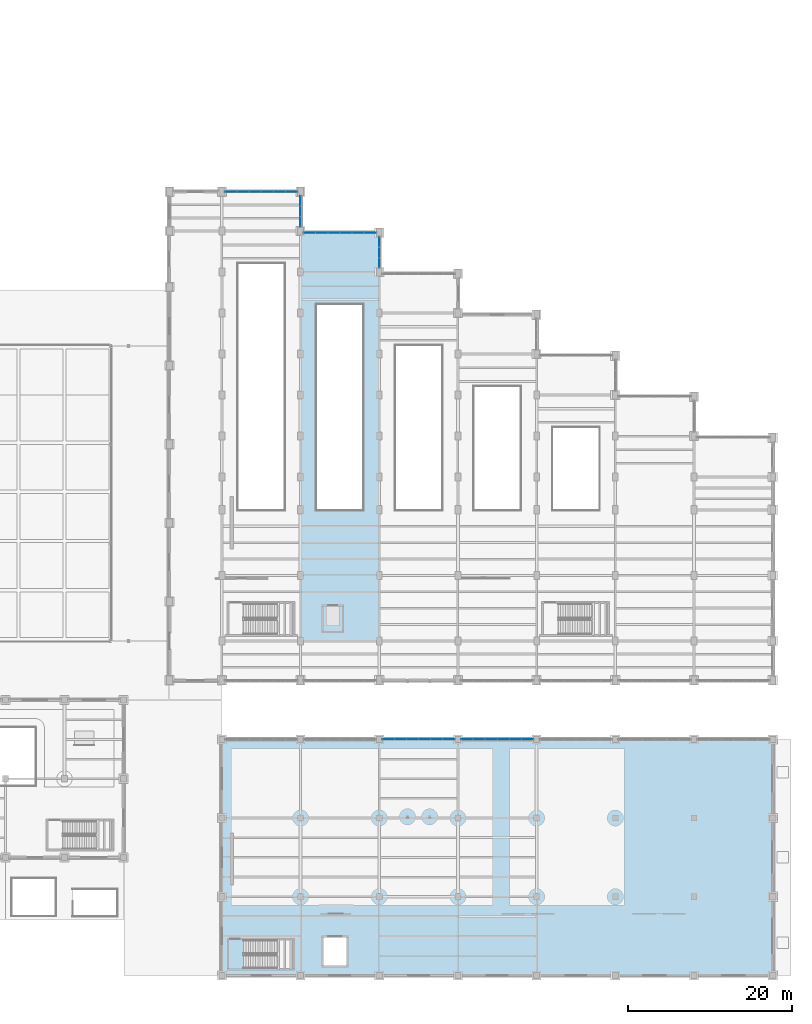
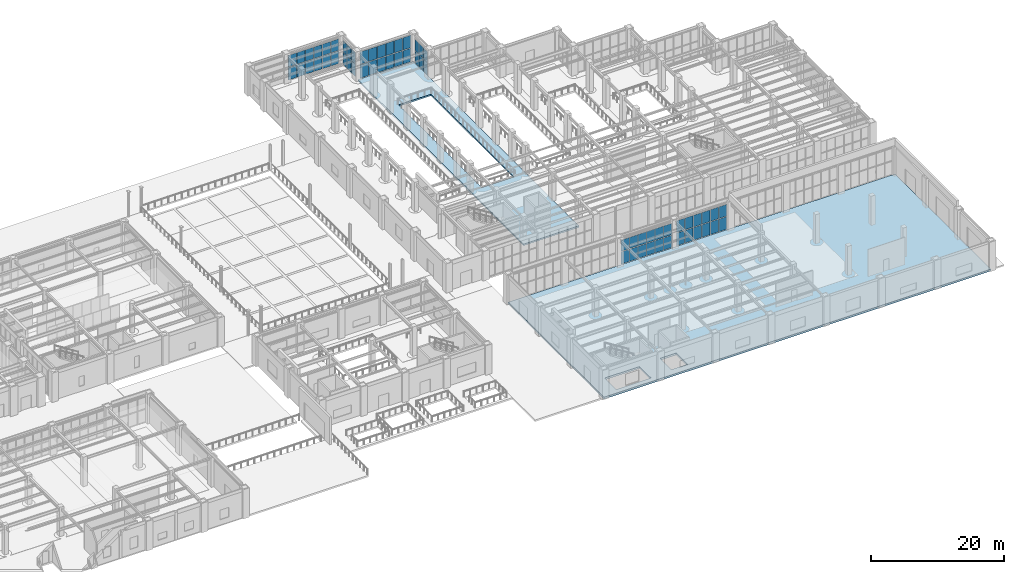
# One storey, part 122 of 164: 60 plates, 2 slabs, 6 elements without a shape of their own.
"""IFC4 building model written with IfcOpenShell, lengths in metres."""

from ifc_helpers import new_model, si_unit, direction, frame, origin, origin_2d, place, context, subcontext, project, spatial, polyline, rectangle, outline, extrude, material, layer, layer_set, type_object, element, aggregate, save


model = new_model("IFC4")

# Units and contexts
model_context = context("Model", 3, precision=1e-05, world=origin(), true_north=direction((0.0, 1.0)))
body_context = subcontext(model_context, "Body", "Model", "MODEL_VIEW")
ifc_project = project(units=[si_unit("LENGTHUNIT", "METRE"), si_unit("AREAUNIT", "SQUARE_METRE"), si_unit("VOLUMEUNIT", "CUBIC_METRE"), si_unit("PLANEANGLEUNIT", "RADIAN"), si_unit("MASSUNIT", "GRAM", prefix="KILO")], contexts=[model_context])

# Site, building, storey
site_placement = place(None, origin())
site = spatial("IfcSite", under=ifc_project, at=site_placement, CompositionType="ELEMENT")
building_placement = place(site_placement, origin())
building = spatial("IfcBuilding", under=site, at=building_placement, Name="Mavantir Sound Aquarium", CompositionType="ELEMENT")
storey_placement = place(building_placement, origin())
storey = spatial("IfcBuildingStorey", under=building, at=storey_placement, Name="L00", CompositionType="ELEMENT", Elevation=0.0)

# Curtain wall, plates
ifc_material_1 = material(Name="Anodised Marine Aluminium and Low-E Glass", Category="aluminium")
curtain_wall_type_1 = type_object("IfcCurtainWallType", Name="CW-T17", PredefinedType="USERDEFINED", material=ifc_material_1)
curtain_wall_1_placement = place(storey_placement, origin())
curtain_wall_1 = element("IfcCurtainWall", 1, at=curtain_wall_1_placement, inside=storey, type_object=curtain_wall_type_1, Name="L00 unitised curtain wall CW-17 17", ObjectType="UNITISED GLAZING", PredefinedType="USERDEFINED")
ifc_material_2 = material(Name="Solar-Control Laminated Low-E Glass", Category="glass")
ifc_layer_1 = layer(ifc_material_2, 0.028076171875, Name="Solar-Control Laminated Low-E Glass")
ifc_layer_set_1 = layer_set([ifc_layer_1], Name="Solar-Control Laminated Low-E Glass")
plate_type_1 = type_object("IfcPlateType", Name="CW-PNL-28", PredefinedType="CURTAIN_PANEL", material=ifc_layer_set_1)
plate_1_placement = place(storey_placement, frame((126.101806640625, 90.60009765625, 0.10302734375), z_axis=(0.0, 0.0, 1.0), x_axis=(-1.0, 0.0, 0.0)))
plate_1 = element("IfcPlate", 2, at=plate_1_placement, type_object=plate_type_1, Name="CW-L00-017 glazed curtain panel 1.1", PredefinedType="CURTAIN_PANEL", context=body_context, shape_type="SweptSolid", body=[
    extrude(rectangle(XDim=1.4326171875, YDim=0.028076171875, at=origin_2d()), origin(), (0.0, 0.0, 1.0), 2.480224609375),
])
plate_2_placement = place(storey_placement, frame((126.101806640625, 90.60009765625, 2.67919921875), z_axis=(0.0, 0.0, 1.0), x_axis=(-1.0, 0.0, 0.0)))
plate_2 = element("IfcPlate", 3, at=plate_2_placement, type_object=plate_type_1, Name="CW-L00-017 glazed curtain panel 1.2", PredefinedType="CURTAIN_PANEL", context=body_context, shape_type="SweptSolid", body=[
    extrude(rectangle(XDim=1.4326171875, YDim=0.028076171875, at=origin_2d()), origin(), (0.0, 0.0, 1.0), 2.27783203125),
])
plate_3_placement = place(storey_placement, frame((124.62109375, 90.60009765625, 0.10302734375), z_axis=(0.0, 0.0, 1.0), x_axis=(-1.0, 0.0, 0.0)))
plate_3 = element("IfcPlate", 4, at=plate_3_placement, type_object=plate_type_1, Name="CW-L00-017 glazed curtain panel 2.1", PredefinedType="CURTAIN_PANEL", context=body_context, shape_type="SweptSolid", body=[
    extrude(rectangle(XDim=1.4326171875, YDim=0.028076171875, at=origin_2d()), origin(), (0.0, 0.0, 1.0), 2.480224609375),
])
plate_4_placement = place(storey_placement, frame((124.62109375, 90.60009765625, 2.67919921875), z_axis=(0.0, 0.0, 1.0), x_axis=(-1.0, 0.0, 0.0)))
plate_4 = element("IfcPlate", 5, at=plate_4_placement, type_object=plate_type_1, Name="CW-L00-017 glazed curtain panel 2.2", PredefinedType="CURTAIN_PANEL", context=body_context, shape_type="SweptSolid", body=[
    extrude(rectangle(XDim=1.4326171875, YDim=0.028076171875, at=origin_2d()), origin(), (0.0, 0.0, 1.0), 2.27783203125),
])
plate_5_placement = place(storey_placement, frame((123.140380859375, 90.60009765625, 0.10302734375), z_axis=(0.0, 0.0, 1.0), x_axis=(-1.0, 0.0, 0.0)))
plate_5 = element("IfcPlate", 6, at=plate_5_placement, type_object=plate_type_1, Name="CW-L00-017 glazed curtain panel 3.1", PredefinedType="CURTAIN_PANEL", context=body_context, shape_type="SweptSolid", body=[
    extrude(rectangle(XDim=1.4326171875, YDim=0.028076171875, at=origin_2d()), origin(), (0.0, 0.0, 1.0), 2.480224609375),
])
plate_6_placement = place(storey_placement, frame((123.140380859375, 90.60009765625, 2.67919921875), z_axis=(0.0, 0.0, 1.0), x_axis=(-1.0, 0.0, 0.0)))
plate_6 = element("IfcPlate", 7, at=plate_6_placement, type_object=plate_type_1, Name="CW-L00-017 glazed curtain panel 3.2", PredefinedType="CURTAIN_PANEL", context=body_context, shape_type="SweptSolid", body=[
    extrude(rectangle(XDim=1.4326171875, YDim=0.028076171875, at=origin_2d()), origin(), (0.0, 0.0, 1.0), 2.27783203125),
])
plate_7_placement = place(storey_placement, frame((121.65966796875, 90.60009765625, 0.10302734375), z_axis=(0.0, 0.0, 1.0), x_axis=(-1.0, 0.0, 0.0)))
plate_7 = element("IfcPlate", 8, at=plate_7_placement, type_object=plate_type_1, Name="CW-L00-017 glazed curtain panel 4.1", PredefinedType="CURTAIN_PANEL", context=body_context, shape_type="SweptSolid", body=[
    extrude(rectangle(XDim=1.4326171875, YDim=0.028076171875, at=origin_2d()), origin(), (0.0, 0.0, 1.0), 2.480224609375),
])
plate_8_placement = place(storey_placement, frame((121.65966796875, 90.60009765625, 2.67919921875), z_axis=(0.0, 0.0, 1.0), x_axis=(-1.0, 0.0, 0.0)))
plate_8 = element("IfcPlate", 9, at=plate_8_placement, type_object=plate_type_1, Name="CW-L00-017 glazed curtain panel 4.2", PredefinedType="CURTAIN_PANEL", context=body_context, shape_type="SweptSolid", body=[
    extrude(rectangle(XDim=1.4326171875, YDim=0.028076171875, at=origin_2d()), origin(), (0.0, 0.0, 1.0), 2.27783203125),
])
plate_9_placement = place(storey_placement, frame((120.178955078125, 90.60009765625, 0.10302734375), z_axis=(0.0, 0.0, 1.0), x_axis=(-1.0, 0.0, 0.0)))
plate_9 = element("IfcPlate", 10, at=plate_9_placement, type_object=plate_type_1, Name="CW-L00-017 glazed curtain panel 5.1", PredefinedType="CURTAIN_PANEL", context=body_context, shape_type="SweptSolid", body=[
    extrude(rectangle(XDim=1.4326171875, YDim=0.028076171875, at=origin_2d()), origin(), (0.0, 0.0, 1.0), 2.480224609375),
])
plate_10_placement = place(storey_placement, frame((120.178955078125, 90.60009765625, 2.67919921875), z_axis=(0.0, 0.0, 1.0), x_axis=(-1.0, 0.0, 0.0)))
plate_10 = element("IfcPlate", 11, at=plate_10_placement, type_object=plate_type_1, Name="CW-L00-017 glazed curtain panel 5.2", PredefinedType="CURTAIN_PANEL", context=body_context, shape_type="SweptSolid", body=[
    extrude(rectangle(XDim=1.4326171875, YDim=0.028076171875, at=origin_2d()), origin(), (0.0, 0.0, 1.0), 2.27783203125),
])
plate_11_placement = place(storey_placement, frame((118.6982421875, 90.60009765625, 0.10302734375), z_axis=(0.0, 0.0, 1.0), x_axis=(-1.0, 0.0, 0.0)))
plate_11 = element("IfcPlate", 12, at=plate_11_placement, type_object=plate_type_1, Name="CW-L00-017 glazed curtain panel 6.1", PredefinedType="CURTAIN_PANEL", context=body_context, shape_type="SweptSolid", body=[
    extrude(rectangle(XDim=1.4326171875, YDim=0.028076171875, at=origin_2d()), origin(), (0.0, 0.0, 1.0), 2.480224609375),
])
plate_12_placement = place(storey_placement, frame((118.6982421875, 90.60009765625, 2.67919921875), z_axis=(0.0, 0.0, 1.0), x_axis=(-1.0, 0.0, 0.0)))
plate_12 = element("IfcPlate", 13, at=plate_12_placement, type_object=plate_type_1, Name="CW-L00-017 glazed curtain panel 6.2", PredefinedType="CURTAIN_PANEL", context=body_context, shape_type="SweptSolid", body=[
    extrude(rectangle(XDim=1.4326171875, YDim=0.028076171875, at=origin_2d()), origin(), (0.0, 0.0, 1.0), 2.27783203125),
])
aggregate(curtain_wall_1, [plate_1, plate_2, plate_3, plate_4, plate_5, plate_6, plate_7, plate_8, plate_9, plate_10, plate_11, plate_12])

curtain_wall_type_2 = type_object("IfcCurtainWallType", Name="CW-T19", PredefinedType="USERDEFINED", material=ifc_material_1)
curtain_wall_2_placement = place(storey_placement, origin())
curtain_wall_2 = element("IfcCurtainWall", 14, at=curtain_wall_2_placement, inside=storey, type_object=curtain_wall_type_2, Name="L00 unitised curtain wall CW-19 19", ObjectType="UNITISED GLAZING", PredefinedType="USERDEFINED")
plate_13_placement = place(storey_placement, frame((116.501708984375, 95.60009765625, 0.10302734375), z_axis=(0.0, 0.0, 1.0), x_axis=(-1.0, 0.0, 0.0)))
plate_13 = element("IfcPlate", 15, at=plate_13_placement, type_object=plate_type_1, Name="CW-L00-019 glazed curtain panel 1.1", PredefinedType="CURTAIN_PANEL", context=body_context, shape_type="SweptSolid", body=[
    extrude(rectangle(XDim=1.4326171875, YDim=0.028076171875, at=origin_2d()), origin(), (0.0, 0.0, 1.0), 2.3076171875),
])
plate_14_placement = place(storey_placement, frame((116.501708984375, 95.60009765625, 2.5068359375), z_axis=(0.0, 0.0, 1.0), x_axis=(-1.0, 0.0, 0.0)))
plate_14 = element("IfcPlate", 16, at=plate_14_placement, type_object=plate_type_1, Name="CW-L00-019 glazed curtain panel 1.2", PredefinedType="CURTAIN_PANEL", context=body_context, shape_type="SweptSolid", body=[
    extrude(rectangle(XDim=1.4326171875, YDim=0.028076171875, at=origin_2d()), origin(), (0.0, 0.0, 1.0), 2.118408203125),
])
plate_15_placement = place(storey_placement, frame((115.02099609375, 95.60009765625, 0.10302734375), z_axis=(0.0, 0.0, 1.0), x_axis=(-1.0, 0.0, 0.0)))
plate_15 = element("IfcPlate", 17, at=plate_15_placement, type_object=plate_type_1, Name="CW-L00-019 glazed curtain panel 2.1", PredefinedType="CURTAIN_PANEL", context=body_context, shape_type="SweptSolid", body=[
    extrude(rectangle(XDim=1.4326171875, YDim=0.028076171875, at=origin_2d()), origin(), (0.0, 0.0, 1.0), 2.3076171875),
])
plate_16_placement = place(storey_placement, frame((115.02099609375, 95.60009765625, 2.5068359375), z_axis=(0.0, 0.0, 1.0), x_axis=(-1.0, 0.0, 0.0)))
plate_16 = element("IfcPlate", 18, at=plate_16_placement, type_object=plate_type_1, Name="CW-L00-019 glazed curtain panel 2.2", PredefinedType="CURTAIN_PANEL", context=body_context, shape_type="SweptSolid", body=[
    extrude(rectangle(XDim=1.4326171875, YDim=0.028076171875, at=origin_2d()), origin(), (0.0, 0.0, 1.0), 2.118408203125),
])
plate_17_placement = place(storey_placement, frame((113.540283203125, 95.60009765625, 0.10302734375), z_axis=(0.0, 0.0, 1.0), x_axis=(-1.0, 0.0, 0.0)))
plate_17 = element("IfcPlate", 19, at=plate_17_placement, type_object=plate_type_1, Name="CW-L00-019 glazed curtain panel 3.1", PredefinedType="CURTAIN_PANEL", context=body_context, shape_type="SweptSolid", body=[
    extrude(rectangle(XDim=1.4326171875, YDim=0.028076171875, at=origin_2d()), origin(), (0.0, 0.0, 1.0), 2.3076171875),
])
plate_18_placement = place(storey_placement, frame((113.540283203125, 95.60009765625, 2.5068359375), z_axis=(0.0, 0.0, 1.0), x_axis=(-1.0, 0.0, 0.0)))
plate_18 = element("IfcPlate", 20, at=plate_18_placement, type_object=plate_type_1, Name="CW-L00-019 glazed curtain panel 3.2", PredefinedType="CURTAIN_PANEL", context=body_context, shape_type="SweptSolid", body=[
    extrude(rectangle(XDim=1.4326171875, YDim=0.028076171875, at=origin_2d()), origin(), (0.0, 0.0, 1.0), 2.118408203125),
])
plate_19_placement = place(storey_placement, frame((112.059814453125, 95.60009765625, 0.10302734375), z_axis=(0.0, 0.0, 1.0), x_axis=(-1.0, 0.0, 0.0)))
plate_19 = element("IfcPlate", 21, at=plate_19_placement, type_object=plate_type_1, Name="CW-L00-019 glazed curtain panel 4.1", PredefinedType="CURTAIN_PANEL", context=body_context, shape_type="SweptSolid", body=[
    extrude(rectangle(XDim=1.4326171875, YDim=0.028076171875, at=origin_2d()), origin(), (0.0, 0.0, 1.0), 2.3076171875),
])
plate_20_placement = place(storey_placement, frame((112.059814453125, 95.60009765625, 2.5068359375), z_axis=(0.0, 0.0, 1.0), x_axis=(-1.0, 0.0, 0.0)))
plate_20 = element("IfcPlate", 22, at=plate_20_placement, type_object=plate_type_1, Name="CW-L00-019 glazed curtain panel 4.2", PredefinedType="CURTAIN_PANEL", context=body_context, shape_type="SweptSolid", body=[
    extrude(rectangle(XDim=1.4326171875, YDim=0.028076171875, at=origin_2d()), origin(), (0.0, 0.0, 1.0), 2.118408203125),
])
plate_21_placement = place(storey_placement, frame((110.5791015625, 95.60009765625, 0.10302734375), z_axis=(0.0, 0.0, 1.0), x_axis=(-1.0, 0.0, 0.0)))
plate_21 = element("IfcPlate", 23, at=plate_21_placement, type_object=plate_type_1, Name="CW-L00-019 glazed curtain panel 5.1", PredefinedType="CURTAIN_PANEL", context=body_context, shape_type="SweptSolid", body=[
    extrude(rectangle(XDim=1.4326171875, YDim=0.028076171875, at=origin_2d()), origin(), (0.0, 0.0, 1.0), 2.3076171875),
])
plate_22_placement = place(storey_placement, frame((110.5791015625, 95.60009765625, 2.5068359375), z_axis=(0.0, 0.0, 1.0), x_axis=(-1.0, 0.0, 0.0)))
plate_22 = element("IfcPlate", 24, at=plate_22_placement, type_object=plate_type_1, Name="CW-L00-019 glazed curtain panel 5.2", PredefinedType="CURTAIN_PANEL", context=body_context, shape_type="SweptSolid", body=[
    extrude(rectangle(XDim=1.4326171875, YDim=0.028076171875, at=origin_2d()), origin(), (0.0, 0.0, 1.0), 2.118408203125),
])
plate_23_placement = place(storey_placement, frame((109.098388671875, 95.60009765625, 0.10302734375), z_axis=(0.0, 0.0, 1.0), x_axis=(-1.0, 0.0, 0.0)))
plate_23 = element("IfcPlate", 25, at=plate_23_placement, type_object=plate_type_1, Name="CW-L00-019 glazed curtain panel 6.1", PredefinedType="CURTAIN_PANEL", context=body_context, shape_type="SweptSolid", body=[
    extrude(rectangle(XDim=1.4326171875, YDim=0.028076171875, at=origin_2d()), origin(), (0.0, 0.0, 1.0), 2.3076171875),
])
plate_24_placement = place(storey_placement, frame((109.098388671875, 95.60009765625, 2.5068359375), z_axis=(0.0, 0.0, 1.0), x_axis=(-1.0, 0.0, 0.0)))
plate_24 = element("IfcPlate", 26, at=plate_24_placement, type_object=plate_type_1, Name="CW-L00-019 glazed curtain panel 6.2", PredefinedType="CURTAIN_PANEL", context=body_context, shape_type="SweptSolid", body=[
    extrude(rectangle(XDim=1.4326171875, YDim=0.028076171875, at=origin_2d()), origin(), (0.0, 0.0, 1.0), 2.118408203125),
])
aggregate(curtain_wall_2, [plate_13, plate_14, plate_15, plate_16, plate_17, plate_18, plate_19, plate_20, plate_21, plate_22, plate_23, plate_24])

curtain_wall_type_3 = type_object("IfcCurtainWallType", Name="CW-T03", PredefinedType="USERDEFINED", material=ifc_material_1)
curtain_wall_3_placement = place(storey_placement, origin())
curtain_wall_3 = element("IfcCurtainWall", 27, at=curtain_wall_3_placement, inside=storey, type_object=curtain_wall_type_3, Name="L00 unitised curtain wall CW-03 51", ObjectType="UNITISED GLAZING", PredefinedType="USERDEFINED")
plate_25_placement = place(storey_placement, frame((135.680908203125, 28.800048828125, 0.10302734375), z_axis=(0.0, 0.0, 1.0), x_axis=(-1.0, 0.0, 0.0)))
plate_25 = element("IfcPlate", 28, at=plate_25_placement, type_object=plate_type_1, Name="CW-L00-051 glazed curtain panel 1.1", PredefinedType="CURTAIN_PANEL", context=body_context, shape_type="SweptSolid", body=[
    extrude(rectangle(XDim=1.42431640625, YDim=0.028076171875, at=origin_2d()), origin(), (0.0, 0.0, 1.0), 2.251953125),
])
plate_26_placement = place(storey_placement, frame((135.680908203125, 28.800048828125, 2.45068359375), z_axis=(0.0, 0.0, 1.0), x_axis=(-1.0, 0.0, 0.0)))
plate_26 = element("IfcPlate", 29, at=plate_26_placement, type_object=plate_type_1, Name="CW-L00-051 glazed curtain panel 1.2", PredefinedType="CURTAIN_PANEL", context=body_context, shape_type="SweptSolid", body=[
    extrude(rectangle(XDim=1.42431640625, YDim=0.028076171875, at=origin_2d()), origin(), (0.0, 0.0, 1.0), 2.067138671875),
])
plate_27_placement = place(storey_placement, frame((134.20849609375, 28.800048828125, 0.10302734375), z_axis=(0.0, 0.0, 1.0), x_axis=(-1.0, 0.0, 0.0)))
plate_27 = element("IfcPlate", 30, at=plate_27_placement, type_object=plate_type_1, Name="CW-L00-051 glazed curtain panel 2.1", PredefinedType="CURTAIN_PANEL", context=body_context, shape_type="SweptSolid", body=[
    extrude(rectangle(XDim=1.42431640625, YDim=0.028076171875, at=origin_2d()), origin(), (0.0, 0.0, 1.0), 2.251953125),
])
plate_28_placement = place(storey_placement, frame((134.20849609375, 28.800048828125, 2.45068359375), z_axis=(0.0, 0.0, 1.0), x_axis=(-1.0, 0.0, 0.0)))
plate_28 = element("IfcPlate", 31, at=plate_28_placement, type_object=plate_type_1, Name="CW-L00-051 glazed curtain panel 2.2", PredefinedType="CURTAIN_PANEL", context=body_context, shape_type="SweptSolid", body=[
    extrude(rectangle(XDim=1.42431640625, YDim=0.028076171875, at=origin_2d()), origin(), (0.0, 0.0, 1.0), 2.067138671875),
])
plate_29_placement = place(storey_placement, frame((132.736083984375, 28.800048828125, 0.10302734375), z_axis=(0.0, 0.0, 1.0), x_axis=(-1.0, 0.0, 0.0)))
plate_29 = element("IfcPlate", 32, at=plate_29_placement, type_object=plate_type_1, Name="CW-L00-051 glazed curtain panel 3.1", PredefinedType="CURTAIN_PANEL", context=body_context, shape_type="SweptSolid", body=[
    extrude(rectangle(XDim=1.42431640625, YDim=0.028076171875, at=origin_2d()), origin(), (0.0, 0.0, 1.0), 2.251953125),
])
plate_30_placement = place(storey_placement, frame((132.736083984375, 28.800048828125, 2.45068359375), z_axis=(0.0, 0.0, 1.0), x_axis=(-1.0, 0.0, 0.0)))
plate_30 = element("IfcPlate", 33, at=plate_30_placement, type_object=plate_type_1, Name="CW-L00-051 glazed curtain panel 3.2", PredefinedType="CURTAIN_PANEL", context=body_context, shape_type="SweptSolid", body=[
    extrude(rectangle(XDim=1.42431640625, YDim=0.028076171875, at=origin_2d()), origin(), (0.0, 0.0, 1.0), 2.067138671875),
])
plate_31_placement = place(storey_placement, frame((131.263916015625, 28.800048828125, 0.10302734375), z_axis=(0.0, 0.0, 1.0), x_axis=(-1.0, 0.0, 0.0)))
plate_31 = element("IfcPlate", 34, at=plate_31_placement, type_object=plate_type_1, Name="CW-L00-051 glazed curtain panel 4.1", PredefinedType="CURTAIN_PANEL", context=body_context, shape_type="SweptSolid", body=[
    extrude(rectangle(XDim=1.42431640625, YDim=0.028076171875, at=origin_2d()), origin(), (0.0, 0.0, 1.0), 2.251953125),
])
plate_32_placement = place(storey_placement, frame((131.263916015625, 28.800048828125, 2.45068359375), z_axis=(0.0, 0.0, 1.0), x_axis=(-1.0, 0.0, 0.0)))
plate_32 = element("IfcPlate", 35, at=plate_32_placement, type_object=plate_type_1, Name="CW-L00-051 glazed curtain panel 4.2", PredefinedType="CURTAIN_PANEL", context=body_context, shape_type="SweptSolid", body=[
    extrude(rectangle(XDim=1.42431640625, YDim=0.028076171875, at=origin_2d()), origin(), (0.0, 0.0, 1.0), 2.067138671875),
])
plate_33_placement = place(storey_placement, frame((129.79150390625, 28.800048828125, 0.10302734375), z_axis=(0.0, 0.0, 1.0), x_axis=(-1.0, 0.0, 0.0)))
plate_33 = element("IfcPlate", 36, at=plate_33_placement, type_object=plate_type_1, Name="CW-L00-051 glazed curtain panel 5.1", PredefinedType="CURTAIN_PANEL", context=body_context, shape_type="SweptSolid", body=[
    extrude(rectangle(XDim=1.42431640625, YDim=0.028076171875, at=origin_2d()), origin(), (0.0, 0.0, 1.0), 2.251953125),
])
plate_34_placement = place(storey_placement, frame((129.79150390625, 28.800048828125, 2.45068359375), z_axis=(0.0, 0.0, 1.0), x_axis=(-1.0, 0.0, 0.0)))
plate_34 = element("IfcPlate", 37, at=plate_34_placement, type_object=plate_type_1, Name="CW-L00-051 glazed curtain panel 5.2", PredefinedType="CURTAIN_PANEL", context=body_context, shape_type="SweptSolid", body=[
    extrude(rectangle(XDim=1.42431640625, YDim=0.028076171875, at=origin_2d()), origin(), (0.0, 0.0, 1.0), 2.067138671875),
])
plate_35_placement = place(storey_placement, frame((128.319091796875, 28.800048828125, 0.10302734375), z_axis=(0.0, 0.0, 1.0), x_axis=(-1.0, 0.0, 0.0)))
plate_35 = element("IfcPlate", 38, at=plate_35_placement, type_object=plate_type_1, Name="CW-L00-051 glazed curtain panel 6.1", PredefinedType="CURTAIN_PANEL", context=body_context, shape_type="SweptSolid", body=[
    extrude(rectangle(XDim=1.42431640625, YDim=0.028076171875, at=origin_2d()), origin(), (0.0, 0.0, 1.0), 2.251953125),
])
plate_36_placement = place(storey_placement, frame((128.319091796875, 28.800048828125, 2.45068359375), z_axis=(0.0, 0.0, 1.0), x_axis=(-1.0, 0.0, 0.0)))
plate_36 = element("IfcPlate", 39, at=plate_36_placement, type_object=plate_type_1, Name="CW-L00-051 glazed curtain panel 6.2", PredefinedType="CURTAIN_PANEL", context=body_context, shape_type="SweptSolid", body=[
    extrude(rectangle(XDim=1.42431640625, YDim=0.028076171875, at=origin_2d()), origin(), (0.0, 0.0, 1.0), 2.067138671875),
])
aggregate(curtain_wall_3, [plate_25, plate_26, plate_27, plate_28, plate_29, plate_30, plate_31, plate_32, plate_33, plate_34, plate_35, plate_36])

curtain_wall_type_4 = type_object("IfcCurtainWallType", Name="CW-T16", PredefinedType="USERDEFINED", material=ifc_material_1)
curtain_wall_4_placement = place(storey_placement, origin())
curtain_wall_4 = element("IfcCurtainWall", 40, at=curtain_wall_4_placement, inside=storey, type_object=curtain_wall_type_4, Name="L00 unitised curtain wall CW-16 16", ObjectType="UNITISED GLAZING", PredefinedType="USERDEFINED")
ifc_layer_2 = layer(ifc_material_2, 0.031982421875, Name="Solar-Control Laminated Low-E Glass")
ifc_layer_set_2 = layer_set([ifc_layer_2], Name="Solar-Control Laminated Low-E Glass")
plate_type_2 = type_object("IfcPlateType", Name="CW-PNL-32", PredefinedType="CURTAIN_PANEL", material=ifc_layer_set_2)
plate_37_placement = place(storey_placement, frame((127.199951171875, 86.938720703125, 0.10302734375), z_axis=(0.0, 0.0, 1.0), x_axis=(0.0, 1.0, 0.0)))
plate_37 = element("IfcPlate", 41, at=plate_37_placement, type_object=plate_type_2, Name="CW-L00-016 glazed curtain panel 1.1", PredefinedType="CURTAIN_PANEL", context=body_context, shape_type="SweptSolid", body=[
    extrude(rectangle(XDim=1.21337890625, YDim=0.031982421875, at=origin_2d()), origin(), (0.0, 0.0, 1.0), 2.1708984375),
])
plate_38_placement = place(storey_placement, frame((127.199951171875, 86.938720703125, 2.369873046875), z_axis=(0.0, 0.0, 1.0), x_axis=(0.0, 1.0, 0.0)))
plate_38 = element("IfcPlate", 42, at=plate_38_placement, type_object=plate_type_2, Name="CW-L00-016 glazed curtain panel 1.2", PredefinedType="CURTAIN_PANEL", context=body_context, shape_type="SweptSolid", body=[
    extrude(rectangle(XDim=1.21337890625, YDim=0.031982421875, at=origin_2d()), origin(), (0.0, 0.0, 1.0), 1.9921875),
])
plate_39_placement = place(storey_placement, frame((127.199951171875, 88.199951171875, 0.10302734375), z_axis=(0.0, 0.0, 1.0), x_axis=(0.0, 1.0, 0.0)))
plate_39 = element("IfcPlate", 43, at=plate_39_placement, type_object=plate_type_2, Name="CW-L00-016 glazed curtain panel 2.1", PredefinedType="CURTAIN_PANEL", context=body_context, shape_type="SweptSolid", body=[
    extrude(rectangle(XDim=1.21337890625, YDim=0.031982421875, at=origin_2d()), origin(), (0.0, 0.0, 1.0), 2.1708984375),
])
plate_40_placement = place(storey_placement, frame((127.199951171875, 88.199951171875, 2.369873046875), z_axis=(0.0, 0.0, 1.0), x_axis=(0.0, 1.0, 0.0)))
plate_40 = element("IfcPlate", 44, at=plate_40_placement, type_object=plate_type_2, Name="CW-L00-016 glazed curtain panel 2.2", PredefinedType="CURTAIN_PANEL", context=body_context, shape_type="SweptSolid", body=[
    extrude(rectangle(XDim=1.21337890625, YDim=0.031982421875, at=origin_2d()), origin(), (0.0, 0.0, 1.0), 1.9921875),
])
plate_41_placement = place(storey_placement, frame((127.199951171875, 89.461181640625, 0.10302734375), z_axis=(0.0, 0.0, 1.0), x_axis=(0.0, 1.0, 0.0)))
plate_41 = element("IfcPlate", 45, at=plate_41_placement, type_object=plate_type_2, Name="CW-L00-016 glazed curtain panel 3.1", PredefinedType="CURTAIN_PANEL", context=body_context, shape_type="SweptSolid", body=[
    extrude(rectangle(XDim=1.21337890625, YDim=0.031982421875, at=origin_2d()), origin(), (0.0, 0.0, 1.0), 2.1708984375),
])
plate_42_placement = place(storey_placement, frame((127.199951171875, 89.461181640625, 2.369873046875), z_axis=(0.0, 0.0, 1.0), x_axis=(0.0, 1.0, 0.0)))
plate_42 = element("IfcPlate", 46, at=plate_42_placement, type_object=plate_type_2, Name="CW-L00-016 glazed curtain panel 3.2", PredefinedType="CURTAIN_PANEL", context=body_context, shape_type="SweptSolid", body=[
    extrude(rectangle(XDim=1.21337890625, YDim=0.031982421875, at=origin_2d()), origin(), (0.0, 0.0, 1.0), 1.9921875),
])
aggregate(curtain_wall_4, [plate_37, plate_38, plate_39, plate_40, plate_41, plate_42])

curtain_wall_type_5 = type_object("IfcCurtainWallType", Name="CW-T18", PredefinedType="USERDEFINED", material=ifc_material_1)
curtain_wall_5_placement = place(storey_placement, origin())
curtain_wall_5 = element("IfcCurtainWall", 47, at=curtain_wall_5_placement, inside=storey, type_object=curtain_wall_type_5, Name="L00 unitised curtain wall CW-18 18", ObjectType="UNITISED GLAZING", PredefinedType="USERDEFINED")
plate_43_placement = place(storey_placement, frame((117.60009765625, 91.938720703125, 0.10302734375), z_axis=(0.0, 0.0, 1.0), x_axis=(0.0, 1.0, 0.0)))
plate_43 = element("IfcPlate", 48, at=plate_43_placement, type_object=plate_type_2, Name="CW-L00-018 glazed curtain panel 1.1", PredefinedType="CURTAIN_PANEL", context=body_context, shape_type="SweptSolid", body=[
    extrude(rectangle(XDim=1.21337890625, YDim=0.031982421875, at=origin_2d()), origin(), (0.0, 0.0, 1.0), 2.223876953125),
])
plate_44_placement = place(storey_placement, frame((117.60009765625, 91.938720703125, 2.4228515625), z_axis=(0.0, 0.0, 1.0), x_axis=(0.0, 1.0, 0.0)))
plate_44 = element("IfcPlate", 49, at=plate_44_placement, type_object=plate_type_2, Name="CW-L00-018 glazed curtain panel 1.2", PredefinedType="CURTAIN_PANEL", context=body_context, shape_type="SweptSolid", body=[
    extrude(rectangle(XDim=1.21337890625, YDim=0.031982421875, at=origin_2d()), origin(), (0.0, 0.0, 1.0), 2.041259765625),
])
plate_45_placement = place(storey_placement, frame((117.60009765625, 93.199951171875, 0.10302734375), z_axis=(0.0, 0.0, 1.0), x_axis=(0.0, 1.0, 0.0)))
plate_45 = element("IfcPlate", 50, at=plate_45_placement, type_object=plate_type_2, Name="CW-L00-018 glazed curtain panel 2.1", PredefinedType="CURTAIN_PANEL", context=body_context, shape_type="SweptSolid", body=[
    extrude(rectangle(XDim=1.21337890625, YDim=0.031982421875, at=origin_2d()), origin(), (0.0, 0.0, 1.0), 2.223876953125),
])
plate_46_placement = place(storey_placement, frame((117.60009765625, 93.199951171875, 2.4228515625), z_axis=(0.0, 0.0, 1.0), x_axis=(0.0, 1.0, 0.0)))
plate_46 = element("IfcPlate", 51, at=plate_46_placement, type_object=plate_type_2, Name="CW-L00-018 glazed curtain panel 2.2", PredefinedType="CURTAIN_PANEL", context=body_context, shape_type="SweptSolid", body=[
    extrude(rectangle(XDim=1.21337890625, YDim=0.031982421875, at=origin_2d()), origin(), (0.0, 0.0, 1.0), 2.041259765625),
])
plate_47_placement = place(storey_placement, frame((117.60009765625, 94.461181640625, 0.10302734375), z_axis=(0.0, 0.0, 1.0), x_axis=(0.0, 1.0, 0.0)))
plate_47 = element("IfcPlate", 52, at=plate_47_placement, type_object=plate_type_2, Name="CW-L00-018 glazed curtain panel 3.1", PredefinedType="CURTAIN_PANEL", context=body_context, shape_type="SweptSolid", body=[
    extrude(rectangle(XDim=1.21337890625, YDim=0.031982421875, at=origin_2d()), origin(), (0.0, 0.0, 1.0), 2.223876953125),
])
plate_48_placement = place(storey_placement, frame((117.60009765625, 94.461181640625, 2.4228515625), z_axis=(0.0, 0.0, 1.0), x_axis=(0.0, 1.0, 0.0)))
plate_48 = element("IfcPlate", 53, at=plate_48_placement, type_object=plate_type_2, Name="CW-L00-018 glazed curtain panel 3.2", PredefinedType="CURTAIN_PANEL", context=body_context, shape_type="SweptSolid", body=[
    extrude(rectangle(XDim=1.21337890625, YDim=0.031982421875, at=origin_2d()), origin(), (0.0, 0.0, 1.0), 2.041259765625),
])
aggregate(curtain_wall_5, [plate_43, plate_44, plate_45, plate_46, plate_47, plate_48])

curtain_wall_type_6 = type_object("IfcCurtainWallType", Name="CW-T02", PredefinedType="USERDEFINED", material=ifc_material_1)
curtain_wall_6_placement = place(storey_placement, origin())
curtain_wall_6 = element("IfcCurtainWall", 54, at=curtain_wall_6_placement, inside=storey, type_object=curtain_wall_type_6, Name="L00 unitised curtain wall CW-02 50", ObjectType="UNITISED GLAZING", PredefinedType="USERDEFINED")
plate_49_placement = place(storey_placement, frame((145.28076171875, 28.800048828125, 0.10302734375), z_axis=(0.0, 0.0, 1.0), x_axis=(-1.0, 0.0, 0.0)))
plate_49 = element("IfcPlate", 55, at=plate_49_placement, type_object=plate_type_2, Name="CW-L00-050 glazed curtain panel 1.1", PredefinedType="CURTAIN_PANEL", context=body_context, shape_type="SweptSolid", body=[
    extrude(rectangle(XDim=1.42431640625, YDim=0.031982421875, at=origin_2d()), origin(), (0.0, 0.0, 1.0), 2.33349609375),
])
plate_50_placement = place(storey_placement, frame((145.28076171875, 28.800048828125, 2.53271484375), z_axis=(0.0, 0.0, 1.0), x_axis=(-1.0, 0.0, 0.0)))
plate_50 = element("IfcPlate", 56, at=plate_50_placement, type_object=plate_type_2, Name="CW-L00-050 glazed curtain panel 1.2", PredefinedType="CURTAIN_PANEL", context=body_context, shape_type="SweptSolid", body=[
    extrude(rectangle(XDim=1.42431640625, YDim=0.031982421875, at=origin_2d()), origin(), (0.0, 0.0, 1.0), 2.142333984375),
])
plate_51_placement = place(storey_placement, frame((143.80859375, 28.800048828125, 0.10302734375), z_axis=(0.0, 0.0, 1.0), x_axis=(-1.0, 0.0, 0.0)))
plate_51 = element("IfcPlate", 57, at=plate_51_placement, type_object=plate_type_2, Name="CW-L00-050 glazed curtain panel 2.1", PredefinedType="CURTAIN_PANEL", context=body_context, shape_type="SweptSolid", body=[
    extrude(rectangle(XDim=1.42431640625, YDim=0.031982421875, at=origin_2d()), origin(), (0.0, 0.0, 1.0), 2.33349609375),
])
plate_52_placement = place(storey_placement, frame((143.80859375, 28.800048828125, 2.53271484375), z_axis=(0.0, 0.0, 1.0), x_axis=(-1.0, 0.0, 0.0)))
plate_52 = element("IfcPlate", 58, at=plate_52_placement, type_object=plate_type_2, Name="CW-L00-050 glazed curtain panel 2.2", PredefinedType="CURTAIN_PANEL", context=body_context, shape_type="SweptSolid", body=[
    extrude(rectangle(XDim=1.42431640625, YDim=0.031982421875, at=origin_2d()), origin(), (0.0, 0.0, 1.0), 2.142333984375),
])
plate_53_placement = place(storey_placement, frame((142.336181640625, 28.800048828125, 0.10302734375), z_axis=(0.0, 0.0, 1.0), x_axis=(-1.0, 0.0, 0.0)))
plate_53 = element("IfcPlate", 59, at=plate_53_placement, type_object=plate_type_2, Name="CW-L00-050 glazed curtain panel 3.1", PredefinedType="CURTAIN_PANEL", context=body_context, shape_type="SweptSolid", body=[
    extrude(rectangle(XDim=1.42431640625, YDim=0.031982421875, at=origin_2d()), origin(), (0.0, 0.0, 1.0), 2.33349609375),
])
plate_54_placement = place(storey_placement, frame((142.336181640625, 28.800048828125, 2.53271484375), z_axis=(0.0, 0.0, 1.0), x_axis=(-1.0, 0.0, 0.0)))
plate_54 = element("IfcPlate", 60, at=plate_54_placement, type_object=plate_type_2, Name="CW-L00-050 glazed curtain panel 3.2", PredefinedType="CURTAIN_PANEL", context=body_context, shape_type="SweptSolid", body=[
    extrude(rectangle(XDim=1.42431640625, YDim=0.031982421875, at=origin_2d()), origin(), (0.0, 0.0, 1.0), 2.142333984375),
])
plate_55_placement = place(storey_placement, frame((140.86376953125, 28.800048828125, 0.10302734375), z_axis=(0.0, 0.0, 1.0), x_axis=(-1.0, 0.0, 0.0)))
plate_55 = element("IfcPlate", 61, at=plate_55_placement, type_object=plate_type_2, Name="CW-L00-050 glazed curtain panel 4.1", PredefinedType="CURTAIN_PANEL", context=body_context, shape_type="SweptSolid", body=[
    extrude(rectangle(XDim=1.42431640625, YDim=0.031982421875, at=origin_2d()), origin(), (0.0, 0.0, 1.0), 2.33349609375),
])
plate_56_placement = place(storey_placement, frame((140.86376953125, 28.800048828125, 2.53271484375), z_axis=(0.0, 0.0, 1.0), x_axis=(-1.0, 0.0, 0.0)))
plate_56 = element("IfcPlate", 62, at=plate_56_placement, type_object=plate_type_2, Name="CW-L00-050 glazed curtain panel 4.2", PredefinedType="CURTAIN_PANEL", context=body_context, shape_type="SweptSolid", body=[
    extrude(rectangle(XDim=1.42431640625, YDim=0.031982421875, at=origin_2d()), origin(), (0.0, 0.0, 1.0), 2.142333984375),
])
plate_57_placement = place(storey_placement, frame((139.3916015625, 28.800048828125, 0.10302734375), z_axis=(0.0, 0.0, 1.0), x_axis=(-1.0, 0.0, 0.0)))
plate_57 = element("IfcPlate", 63, at=plate_57_placement, type_object=plate_type_2, Name="CW-L00-050 glazed curtain panel 5.1", PredefinedType="CURTAIN_PANEL", context=body_context, shape_type="SweptSolid", body=[
    extrude(rectangle(XDim=1.42431640625, YDim=0.031982421875, at=origin_2d()), origin(), (0.0, 0.0, 1.0), 2.33349609375),
])
plate_58_placement = place(storey_placement, frame((139.3916015625, 28.800048828125, 2.53271484375), z_axis=(0.0, 0.0, 1.0), x_axis=(-1.0, 0.0, 0.0)))
plate_58 = element("IfcPlate", 64, at=plate_58_placement, type_object=plate_type_2, Name="CW-L00-050 glazed curtain panel 5.2", PredefinedType="CURTAIN_PANEL", context=body_context, shape_type="SweptSolid", body=[
    extrude(rectangle(XDim=1.42431640625, YDim=0.031982421875, at=origin_2d()), origin(), (0.0, 0.0, 1.0), 2.142333984375),
])
plate_59_placement = place(storey_placement, frame((137.919189453125, 28.800048828125, 0.10302734375), z_axis=(0.0, 0.0, 1.0), x_axis=(-1.0, 0.0, 0.0)))
plate_59 = element("IfcPlate", 65, at=plate_59_placement, type_object=plate_type_2, Name="CW-L00-050 glazed curtain panel 6.1", PredefinedType="CURTAIN_PANEL", context=body_context, shape_type="SweptSolid", body=[
    extrude(rectangle(XDim=1.42431640625, YDim=0.031982421875, at=origin_2d()), origin(), (0.0, 0.0, 1.0), 2.33349609375),
])
plate_60_placement = place(storey_placement, frame((137.919189453125, 28.800048828125, 2.53271484375), z_axis=(0.0, 0.0, 1.0), x_axis=(-1.0, 0.0, 0.0)))
plate_60 = element("IfcPlate", 66, at=plate_60_placement, type_object=plate_type_2, Name="CW-L00-050 glazed curtain panel 6.2", PredefinedType="CURTAIN_PANEL", context=body_context, shape_type="SweptSolid", body=[
    extrude(rectangle(XDim=1.42431640625, YDim=0.031982421875, at=origin_2d()), origin(), (0.0, 0.0, 1.0), 2.142333984375),
])
aggregate(curtain_wall_6, [plate_49, plate_50, plate_51, plate_52, plate_53, plate_54, plate_55, plate_56, plate_57, plate_58, plate_59, plate_60])

# Slabs
ifc_material_3 = material(Name="Concrete C40/50", Category="concrete")
ifc_layer_3 = layer(ifc_material_3, 0.35009765625, Name="Concrete C40/50")
ifc_layer_set_3 = layer_set([ifc_layer_3], Name="Concrete C40/50")
slab_type_1 = type_object("IfcSlabType", Name="SLB-FS-02", PredefinedType="FLOOR", material=ifc_layer_set_3)
slab_1_placement = place(storey_placement, frame((0.0, 0.0, -0.35009765625)))
element("IfcSlab", 67, at=slab_1_placement, inside=storey, type_object=slab_type_1, Name="L00 structural slab FS-02 (V6)", PredefinedType="FLOOR", context=body_context, shape_type="SweptSolid", body=[
    extrude(outline(polyline([(175.199951171875, 0.0), (175.199951171875, 28.800048828125), (108.0, 28.800048828125), (108.0, 0.0), (175.199951171875, 0.0)]), holes=[polyline([(110.64990234375, 0.85009765625), (116.64990234375, 0.85009765625), (116.64990234375, 4.300048828125), (110.64990234375, 4.300048828125), (110.64990234375, 0.85009765625)]), polyline([(120.39990234375, 1.199951171875), (123.199951171875, 1.199951171875), (123.199951171875, 4.60009765625), (120.39990234375, 4.60009765625), (120.39990234375, 1.199951171875)])]), origin(), (0.0, 0.0, 1.0), 0.35009765625),
])
ifc_layer_4 = layer(ifc_material_3, 0.2900390625, Name="Concrete C40/50")
ifc_layer_set_4 = layer_set([ifc_layer_4], Name="Concrete C40/50")
slab_type_2 = type_object("IfcSlabType", Name="SLB-FS-06", PredefinedType="FLOOR", material=ifc_layer_set_4)
slab_2_placement = place(storey_placement, frame((0.0, 0.0, -0.2900390625)))
element("IfcSlab", 68, at=slab_2_placement, inside=storey, type_object=slab_type_2, Name="L00 structural slab FS-06 (V4)", PredefinedType="FLOOR", context=body_context, shape_type="SweptSolid", body=[
    extrude(outline(polyline([(127.199951171875, 40.800048828125), (127.199951171875, 90.60009765625), (117.60009765625, 90.60009765625), (117.60009765625, 40.800048828125), (127.199951171875, 40.800048828125)]), holes=[polyline([(119.60009765625, 56.800048828125), (125.199951171875, 56.800048828125), (125.199951171875, 81.800048828125), (119.60009765625, 81.800048828125), (119.60009765625, 56.800048828125)])]), origin(), (0.0, 0.0, 1.0), 0.2900390625),
])

save(model, "model.ifc")
